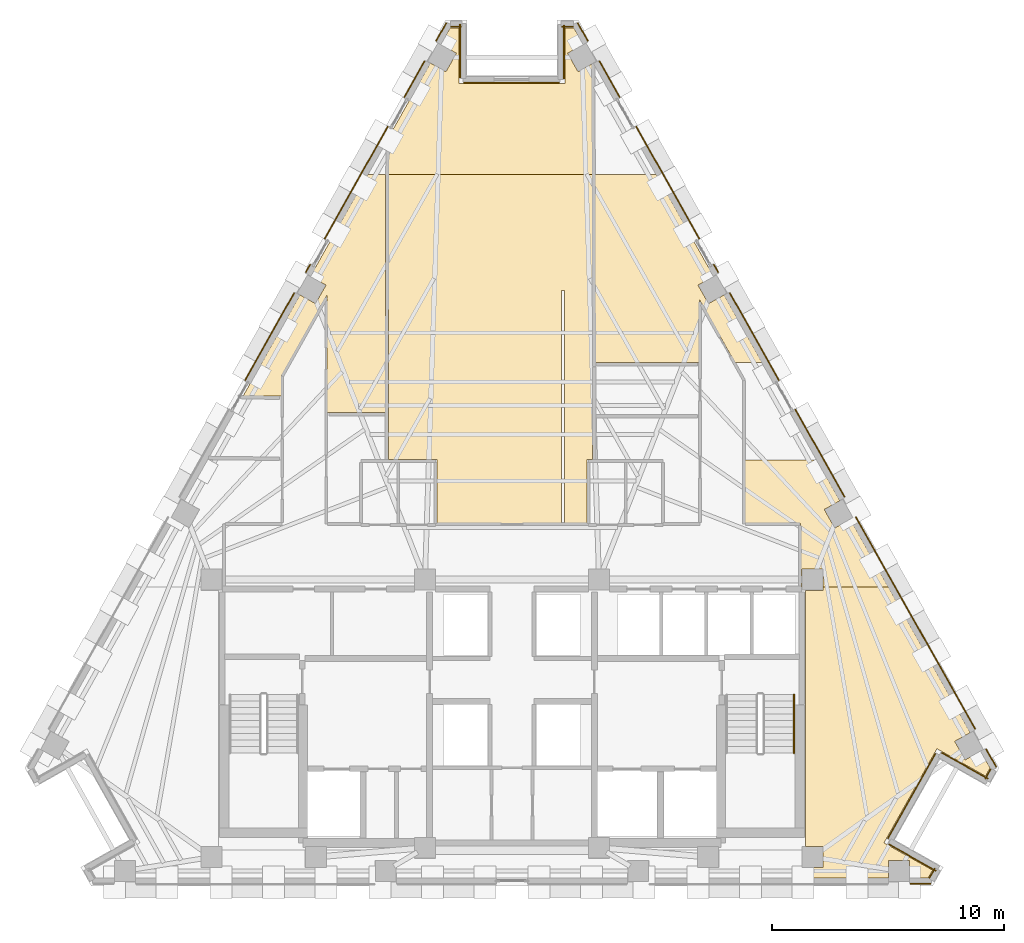
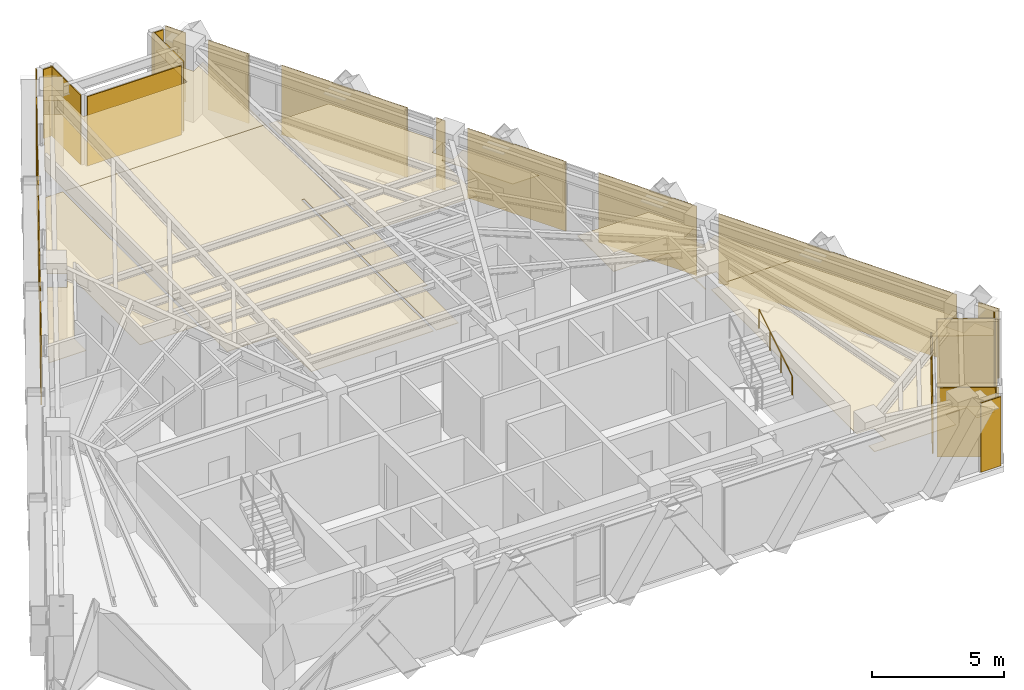
# One storey, part 12 of 12: 30 coverings, 1 railing.
"""IFC4 building model written with IfcOpenShell, lengths in metres."""

from ifc_helpers import new_model, si_unit, direction, frame, origin, origin_2d, place, context, subcontext, project, spatial, polyline, circle, outline, extrude, material, layer, layer_set, type_object, element, save


model = new_model("IFC4")

# Units and contexts
model_context = context("Model", 3, precision=1e-05, world=origin(), true_north=direction((0.0, 1.0)))
body_context = subcontext(model_context, "Body", "Model", "MODEL_VIEW")
ifc_project = project(units=[si_unit("LENGTHUNIT", "METRE"), si_unit("AREAUNIT", "SQUARE_METRE"), si_unit("VOLUMEUNIT", "CUBIC_METRE"), si_unit("PLANEANGLEUNIT", "RADIAN"), si_unit("MASSUNIT", "GRAM", prefix="KILO")], contexts=[model_context])

# Site, building, storey
site_placement = place(None, origin())
site = spatial("IfcSite", under=ifc_project, at=site_placement, CompositionType="ELEMENT")
building_placement = place(site_placement, origin())
building = spatial("IfcBuilding", under=site, at=building_placement, Name="Quenlor Broadcast Tower", CompositionType="ELEMENT")
storey_placement = place(building_placement, frame((0.0, 0.0, 186.89990234375)))
storey = spatial("IfcBuildingStorey", under=building, at=storey_placement, Name="L51", CompositionType="ELEMENT", Elevation=186.89990234375)

# Coverings
ifc_material_1 = material(Name="Acoustic Mineral Fibre Board", Category="other")
ifc_layer_1 = layer(ifc_material_1, 0.02490234375)
ifc_layer_set_1 = layer_set([ifc_layer_1], Name="Acoustic Perforated Mineral Tile Ceiling 25")
covering_type_1 = type_object("IfcCoveringType", Name="Acoustic Perforated Mineral Tile Ceiling 25", PredefinedType="CEILING", material=ifc_layer_set_1)
covering_1_placement = place(storey_placement, frame((0.0, 0.0, 2.375)))
element("IfcCovering", 1, at=covering_1_placement, inside=storey, type_object=covering_type_1, Name="L51 Acoustic Ceiling L51-31", PredefinedType="CEILING", context=body_context, shape_type="SweptSolid", body=[
    extrude(outline(polyline([(3.580078125, 12.64990234375), (6.21923828125, 12.64990234375), (8.685302734375, 8.26611328125), (8.015869140625, 7.889404296875), (8.465087890625, 7.09130859375), (9.13427734375, 7.4677734375), (10.764404296875, 4.570068359375), (10.773681640625, 4.55322265625), (9.603515625, 4.55322265625), (8.070068359375, 7.279296875), (8.070068359375, 4.55322265625), (3.580078125, 4.55322265625), (3.580078125, 12.64990234375)])), origin(), (0.0, 0.0, 1.0), 0.025146484375),
])
covering_2_placement = place(storey_placement, frame((0.0, 0.0, 2.375)))
element("IfcCovering", 2, at=covering_2_placement, inside=storey, type_object=covering_type_1, Name="L51 Acoustic Ceiling L51-32", PredefinedType="CEILING", context=body_context, shape_type="SweptSolid", body=[
    extrude(outline(polyline([(3.4599609375, 0.3701171875), (3.22998046875, 0.3701171875), (3.22998046875, -2.3701171875), (2.260009765625, -2.3701171875), (2.260009765625, 7.651611328125), (2.139892578125, 7.651611328125), (2.139892578125, -2.3701171875), (-3.22998046875, -2.3701171875), (-3.22998046875, 0.3701171875), (-5.320068359375, 0.3701171875), (-5.320068359375, 12.64990234375), (3.4599609375, 12.64990234375), (3.4599609375, 0.3701171875)])), origin(), (0.0, 0.0, 1.0), 0.025146484375),
])
covering_3_placement = place(storey_placement, frame((0.0, 0.0, 2.375)))
element("IfcCovering", 3, at=covering_3_placement, inside=storey, type_object=covering_type_1, Name="L51 Acoustic Ceiling L51-32-2", PredefinedType="CEILING", context=body_context, shape_type="SweptSolid", body=[
    extrude(outline(polyline([(2.2861328125, 16.572021484375), (2.2861328125, 18.971923828125), (2.6630859375, 18.971923828125), (3.066162109375, 18.255615234375), (2.396728515625, 17.87890625), (2.845947265625, 17.08056640625), (3.4599609375, 17.426025390625), (3.4599609375, 12.64990234375), (-5.320068359375, 12.64990234375), (-5.320068359375, 14.248779296875), (-3.515380859375, 17.45703125), (-2.845947265625, 17.08056640625), (-2.396728515625, 17.87890625), (-3.066162109375, 18.255615234375), (-2.6630859375, 18.971923828125), (-2.2861328125, 18.971923828125), (-2.2861328125, 16.572021484375), (2.2861328125, 16.572021484375)])), origin(), (0.0, 0.0, 1.0), 0.025146484375),
])
covering_4_placement = place(storey_placement, frame((0.0, 0.0, 2.375)))
element("IfcCovering", 4, at=covering_4_placement, inside=storey, type_object=covering_type_1, Name="L51 Acoustic Ceiling L51-33", PredefinedType="CEILING", context=body_context, shape_type="SweptSolid", body=[
    extrude(outline(polyline([(-9.929931640625, 3.97265625), (-9.929931640625, 3.110107421875), (-11.58544921875, 3.110107421875), (-9.13427734375, 7.4677734375), (-8.465087890625, 7.09130859375), (-8.015869140625, 7.889404296875), (-8.685302734375, 8.26611328125), (-6.21923828125, 12.64990234375), (-5.43994140625, 12.64990234375), (-5.43994140625, 2.410888671875), (-7.969970703125, 2.410888671875), (-7.969970703125, 7.45703125), (-9.929931640625, 3.97265625)])), origin(), (0.0, 0.0, 1.0), 0.025146484375),
])
covering_5_placement = place(storey_placement, frame((0.0, 0.0, 2.375)))
element("IfcCovering", 5, at=covering_5_placement, inside=storey, type_object=covering_type_1, Name="L51 Acoustic Ceiling L51-38-2", PredefinedType="CEILING", context=body_context, shape_type="SweptSolid", body=[
    extrude(outline(polyline([(13.407958984375, -4.342041015625), (12.491943359375, -4.342041015625), (12.491943359375, -5.1201171875), (12.43994140625, -5.1201171875), (12.43994140625, -2.3701171875), (10.030029296875, -2.3701171875), (10.030029296875, 0.36474609375), (13.129638671875, 0.36474609375), (14.123046875, -1.401123046875), (13.45361328125, -1.777587890625), (13.90283203125, -2.575927734375), (14.572021484375, -2.199462890625), (16.21484375, -5.1201171875), (13.407958984375, -5.1201171875), (13.407958984375, -4.342041015625)])), origin(), (0.0, 0.0, 1.0), 0.025146484375),
])
covering_6_placement = place(storey_placement, frame((0.0, 0.0, 2.375)))
element("IfcCovering", 6, at=covering_6_placement, inside=storey, type_object=covering_type_1, Name="L51 Acoustic Ceiling L51-38-4", PredefinedType="CEILING", context=body_context, shape_type="SweptSolid", body=[
    extrude(outline(polyline([(13.407958984375, -17.2080078125), (13.407958984375, -16.2919921875), (12.64990234375, -16.2919921875), (12.64990234375, -5.258056640625), (13.407958984375, -5.258056640625), (13.407958984375, -5.1201171875), (16.21484375, -5.1201171875), (19.7421875, -11.390625), (19.07275390625, -11.76708984375), (19.52197265625, -12.5654296875), (20.191162109375, -12.18896484375), (20.597900390625, -12.912109375), (20.400390625, -13.26318359375), (18.30859375, -12.08642578125), (16.029052734375, -16.138916015625), (18.120849609375, -17.315673828125), (17.927001953125, -17.659912109375), (17.1337890625, -17.659912109375), (17.1337890625, -16.89208984375), (16.218017578125, -16.89208984375), (16.218017578125, -17.659912109375), (12.64990234375, -17.659912109375), (12.64990234375, -17.2080078125), (13.407958984375, -17.2080078125)])), origin(), (0.0, 0.0, 1.0), 0.025146484375),
])
ifc_material_2 = material(Name="Architectural Terracotta Ceramic", Category="masonry")
ifc_layer_2 = layer(ifc_material_2, 0.044921875)
ifc_layer_set_2 = layer_set([ifc_layer_2], Name="Fluted Terracotta Rainscreen Cladding Panel")
covering_type_2 = type_object("IfcCoveringType", Name="Fluted Terracotta Rainscreen Cladding Panel", PredefinedType="CLADDING", material=ifc_layer_set_2)
covering_7_placement = place(storey_placement, frame((0.0, 0.0, 0.02001953125)))
element("IfcCovering", 7, at=covering_7_placement, inside=storey, type_object=covering_type_2, Name="L51 Terracotta Rainscreen Cladding L51-SHD-SS0", PredefinedType="CLADDING", context=body_context, shape_type="SweptSolid", body=[
    extrude(outline(polyline([(18.035888671875, -17.886962890625), (17.160888671875, -17.886962890625), (17.160888671875, -17.931884765625), (18.035888671875, -17.931884765625), (18.035888671875, -17.886962890625)])), origin(), (0.0, 0.0, 1.0), 3.2099609375),
])
covering_8_placement = place(storey_placement, frame((0.0, 0.0, 0.02001953125)))
element("IfcCovering", 8, at=covering_8_placement, inside=storey, type_object=covering_type_2, Name="L51 Terracotta Rainscreen Cladding L51-SHD-NES0", PredefinedType="CLADDING", context=body_context, shape_type="SweptSolid", body=[
    extrude(outline(polyline([(2.8076171875, 19.17822265625), (3.250732421875, 18.390380859375), (3.2900390625, 18.412353515625), (2.8466796875, 19.2001953125), (2.8076171875, 19.17822265625)])), origin(), (0.0, 0.0, 1.0), 3.2099609375),
])
covering_9_placement = place(storey_placement, frame((0.0, 0.0, 0.02001953125)))
element("IfcCovering", 9, at=covering_9_placement, inside=storey, type_object=covering_type_2, Name="L51 Terracotta Rainscreen Cladding L51-SHD-NES1", PredefinedType="CLADDING", context=body_context, shape_type="SweptSolid", body=[
    extrude(outline(polyline([(20.402099609375, -12.10107421875), (20.845458984375, -12.888916015625), (20.884521484375, -12.866943359375), (20.44140625, -12.0791015625), (20.402099609375, -12.10107421875)])), origin(), (0.0, 0.0, 1.0), 3.2099609375),
])
covering_10_placement = place(storey_placement, frame((0.0, 0.0, 0.02001953125)))
element("IfcCovering", 10, at=covering_10_placement, inside=storey, type_object=covering_type_2, Name="L51 Terracotta Rainscreen Cladding L51-NEA-SP1", PredefinedType="CLADDING", context=body_context, shape_type="SweptSolid", body=[
    extrude(outline(polyline([(3.744873046875, 17.532470703125), (4.625, 15.967529296875), (4.664306640625, 15.989501953125), (3.7841796875, 17.554443359375), (3.744873046875, 17.532470703125)])), origin(), (0.0, 0.0, 1.0), 3.2099609375),
])
covering_11_placement = place(storey_placement, frame((0.0, 0.0, 0.02001953125)))
element("IfcCovering", 11, at=covering_11_placement, inside=storey, type_object=covering_type_2, Name="L51 Terracotta Rainscreen Cladding L51-NEA-SP2", PredefinedType="CLADDING", context=body_context, shape_type="SweptSolid", body=[
    extrude(outline(polyline([(5.3291015625, 14.716064453125), (8.05419921875, 9.871337890625), (8.09326171875, 9.893310546875), (5.368408203125, 14.738037109375), (5.3291015625, 14.716064453125)])), origin(), (0.0, 0.0, 1.0), 3.2099609375),
])
covering_12_placement = place(storey_placement, frame((0.0, 0.0, 0.02001953125)))
element("IfcCovering", 12, at=covering_12_placement, inside=storey, type_object=covering_type_2, Name="L51 Terracotta Rainscreen Cladding L51-NEA-SP3", PredefinedType="CLADDING", context=body_context, shape_type="SweptSolid", body=[
    extrude(outline(polyline([(8.672607421875, 8.77197265625), (8.86865234375, 8.42333984375), (8.907958984375, 8.4453125), (8.7119140625, 8.7939453125), (8.672607421875, 8.77197265625)])), origin(), (0.0, 0.0, 1.0), 3.2099609375),
])
covering_13_placement = place(storey_placement, frame((0.0, 0.0, 0.02001953125)))
element("IfcCovering", 13, at=covering_13_placement, inside=storey, type_object=covering_type_2, Name="L51 Terracotta Rainscreen Cladding L51-EW-NEC", PredefinedType="CLADDING", context=body_context, shape_type="SweptSolid", body=[
    extrude(outline(polyline([(14.7919921875, -2.106689453125), (19.935302734375, -11.250732421875), (19.974609375, -11.228759765625), (14.831298828125, -2.084716796875), (14.7919921875, -2.106689453125)])), origin(), (0.0, 0.0, 1.0), 3.2099609375),
])
covering_14_placement = place(storey_placement, frame((0.0, 0.0, 0.02001953125)))
element("IfcCovering", 14, at=covering_14_placement, inside=storey, type_object=covering_type_2, Name="L51 Terracotta Rainscreen Cladding L51-NE-SP1", PredefinedType="CLADDING", context=body_context, shape_type="SweptSolid", body=[
    extrude(outline(polyline([(9.361328125, 7.54736328125), (11.483154296875, 3.775390625), (11.5224609375, 3.79736328125), (9.400634765625, 7.5693359375), (9.361328125, 7.54736328125)])), origin(), (0.0, 0.0, 1.0), 3.2099609375),
])
covering_15_placement = place(storey_placement, frame((0.0, 0.0, 0.02001953125)))
element("IfcCovering", 15, at=covering_15_placement, inside=storey, type_object=covering_type_2, Name="L51 Terracotta Rainscreen Cladding L51-NE-SP2", PredefinedType="CLADDING", context=body_context, shape_type="SweptSolid", body=[
    extrude(outline(polyline([(12.187255859375, 2.523681640625), (14.30908203125, -1.248291015625), (14.34814453125, -1.226318359375), (12.2265625, 2.5458984375), (12.187255859375, 2.523681640625)])), origin(), (0.0, 0.0, 1.0), 3.2099609375),
])
covering_16_placement = place(storey_placement, frame((0.0, 0.0, 0.02001953125)))
element("IfcCovering", 16, at=covering_16_placement, inside=storey, type_object=covering_type_2, Name="L51 Terracotta Rainscreen Cladding L51-SHD-NWS1", PredefinedType="CLADDING", context=body_context, shape_type="SweptSolid", body=[
    extrude(outline(polyline([(-3.250732421875, 18.390380859375), (-2.8076171875, 19.17822265625), (-2.8466796875, 19.2001953125), (-3.2900390625, 18.412353515625), (-3.250732421875, 18.390380859375)])), origin(), (0.0, 0.0, 1.0), 3.2099609375),
])
covering_17_placement = place(storey_placement, frame((0.0, 0.0, 0.02001953125)))
element("IfcCovering", 17, at=covering_17_placement, inside=storey, type_object=covering_type_2, Name="L51 Terracotta Rainscreen Cladding L51-NWC-SP1", PredefinedType="CLADDING", context=body_context, shape_type="SweptSolid", body=[
    extrude(outline(polyline([(-8.86865234375, 8.42333984375), (-8.672607421875, 8.77197265625), (-8.7119140625, 8.7939453125), (-8.907958984375, 8.4453125), (-8.86865234375, 8.42333984375)])), origin(), (0.0, 0.0, 1.0), 3.2099609375),
])
covering_18_placement = place(storey_placement, frame((0.0, 0.0, 0.02001953125)))
element("IfcCovering", 18, at=covering_18_placement, inside=storey, type_object=covering_type_2, Name="L51 Terracotta Rainscreen Cladding L51-NWC-SP2", PredefinedType="CLADDING", context=body_context, shape_type="SweptSolid", body=[
    extrude(outline(polyline([(-8.05419921875, 9.871337890625), (-5.3291015625, 14.716064453125), (-5.368408203125, 14.738037109375), (-8.09326171875, 9.893310546875), (-8.05419921875, 9.871337890625)])), origin(), (0.0, 0.0, 1.0), 3.2099609375),
])
covering_19_placement = place(storey_placement, frame((0.0, 0.0, 0.02001953125)))
element("IfcCovering", 19, at=covering_19_placement, inside=storey, type_object=covering_type_2, Name="L51 Terracotta Rainscreen Cladding L51-NWC-SP3", PredefinedType="CLADDING", context=body_context, shape_type="SweptSolid", body=[
    extrude(outline(polyline([(-4.625, 15.967529296875), (-3.744873046875, 17.532470703125), (-3.7841796875, 17.554443359375), (-4.664306640625, 15.989501953125), (-4.625, 15.967529296875)])), origin(), (0.0, 0.0, 1.0), 3.2099609375),
])
covering_20_placement = place(storey_placement, frame((0.0, 0.0, 0.02001953125)))
element("IfcCovering", 20, at=covering_20_placement, inside=storey, type_object=covering_type_2, Name="L51 Terracotta Rainscreen Cladding L51-NW-SP2", PredefinedType="CLADDING", context=body_context, shape_type="SweptSolid", body=[
    extrude(outline(polyline([(-11.483154296875, 3.775390625), (-9.361328125, 7.54736328125), (-9.400634765625, 7.5693359375), (-11.5224609375, 3.79736328125), (-11.483154296875, 3.775390625)])), origin(), (0.0, 0.0, 1.0), 3.2099609375),
])
covering_21_placement = place(storey_placement, frame((0.0, 0.0, 0.02001953125)))
element("IfcCovering", 21, at=covering_21_placement, inside=storey, type_object=covering_type_2, Name="L51 Terracotta Rainscreen Cladding L51-CNR-01", PredefinedType="CLADDING", context=body_context, shape_type="SweptSolid", body=[
    extrude(outline(polyline([(18.284912109375, -17.329833984375), (16.245361328125, -16.1826171875), (16.223388671875, -16.2216796875), (18.262939453125, -17.368896484375), (18.284912109375, -17.329833984375)])), origin(), (0.0, 0.0, 1.0), 3.2099609375),
])
covering_22_placement = place(storey_placement, frame((0.0, 0.0, 0.02001953125)))
element("IfcCovering", 22, at=covering_22_placement, inside=storey, type_object=covering_type_2, Name="L51 Terracotta Rainscreen Cladding L51-CNR-02", PredefinedType="CLADDING", context=body_context, shape_type="SweptSolid", body=[
    extrude(outline(polyline([(16.2109375, -15.954345703125), (18.264892578125, -12.302734375), (18.225830078125, -12.28076171875), (16.171630859375, -15.932373046875), (16.2109375, -15.954345703125)])), origin(), (0.0, 0.0, 1.0), 2.681884765625),
])
covering_23_placement = place(storey_placement, frame((0.0, 0.0, 0.02001953125)))
element("IfcCovering", 23, at=covering_23_placement, inside=storey, type_object=covering_type_2, Name="L51 Terracotta Rainscreen Cladding L51-CNR-03", PredefinedType="CLADDING", context=body_context, shape_type="SweptSolid", body=[
    extrude(outline(polyline([(18.493408203125, -12.268310546875), (20.497802734375, -13.39599609375), (20.52001953125, -13.356689453125), (18.515380859375, -12.22900390625), (18.493408203125, -12.268310546875)])), origin(), (0.0, 0.0, 1.0), 3.2099609375),
])
covering_24_placement = place(storey_placement, frame((0.0, 0.0, 0.02001953125)))
element("IfcCovering", 24, at=covering_24_placement, inside=storey, type_object=covering_type_2, Name="L51 Terracotta Rainscreen Cladding L51-CNR-04", PredefinedType="CLADDING", context=body_context, shape_type="SweptSolid", body=[
    extrude(outline(polyline([(20.40576171875, -13.39208984375), (20.64306640625, -12.970458984375), (20.60400390625, -12.948486328125), (20.36669921875, -13.3701171875), (20.40576171875, -13.39208984375)])), origin(), (0.0, 0.0, 1.0), 3.2099609375),
])
covering_25_placement = place(storey_placement, frame((0.0, 0.0, 0.02001953125)))
element("IfcCovering", 25, at=covering_25_placement, inside=storey, type_object=covering_type_2, Name="L51 Terracotta Rainscreen Cladding L51-CNR-06", PredefinedType="CLADDING", context=body_context, shape_type="SweptSolid", body=[
    extrude(outline(polyline([(2.62841796875, 19.0400390625), (2.13623046875, 19.0400390625), (2.13623046875, 18.9951171875), (2.62841796875, 18.9951171875), (2.62841796875, 19.0400390625)])), origin(), (0.0, 0.0, 1.0), 3.2099609375),
])
covering_26_placement = place(storey_placement, frame((0.0, 0.0, 0.02001953125)))
element("IfcCovering", 26, at=covering_26_placement, inside=storey, type_object=covering_type_2, Name="L51 Terracotta Rainscreen Cladding L51-CNR-07", PredefinedType="CLADDING", context=body_context, shape_type="SweptSolid", body=[
    extrude(outline(polyline([(2.21826171875, 19.08203125), (2.21826171875, 16.781982421875), (2.26318359375, 16.781982421875), (2.26318359375, 19.08203125), (2.21826171875, 19.08203125)])), origin(), (0.0, 0.0, 1.0), 3.2099609375),
])
covering_27_placement = place(storey_placement, frame((0.0, 0.0, 0.02001953125)))
element("IfcCovering", 27, at=covering_27_placement, inside=storey, type_object=covering_type_2, Name="L51 Terracotta Rainscreen Cladding L51-CNR-08", PredefinedType="CLADDING", context=body_context, shape_type="SweptSolid", body=[
    extrude(outline(polyline([(2.0361328125, 16.639892578125), (-2.076171875, 16.639892578125), (-2.076171875, 16.594970703125), (2.0361328125, 16.594970703125), (2.0361328125, 16.639892578125)])), origin(), (0.0, 0.0, 1.0), 3.2099609375),
])
covering_28_placement = place(storey_placement, frame((0.0, 0.0, 0.02001953125)))
element("IfcCovering", 28, at=covering_28_placement, inside=storey, type_object=covering_type_2, Name="L51 Terracotta Rainscreen Cladding L51-CNR-09", PredefinedType="CLADDING", context=body_context, shape_type="SweptSolid", body=[
    extrude(outline(polyline([(-2.21826171875, 16.822021484375), (-2.21826171875, 19.1220703125), (-2.26318359375, 19.1220703125), (-2.26318359375, 16.822021484375), (-2.21826171875, 16.822021484375)])), origin(), (0.0, 0.0, 1.0), 3.2099609375),
])
covering_29_placement = place(storey_placement, frame((0.0, 0.0, 0.02001953125)))
element("IfcCovering", 29, at=covering_29_placement, inside=storey, type_object=covering_type_2, Name="L51 Terracotta Rainscreen Cladding L51-CNR-10", PredefinedType="CLADDING", context=body_context, shape_type="SweptSolid", body=[
    extrude(outline(polyline([(-2.17626953125, 19.0400390625), (-2.62841796875, 19.0400390625), (-2.62841796875, 18.9951171875), (-2.17626953125, 18.9951171875), (-2.17626953125, 19.0400390625)])), origin(), (0.0, 0.0, 1.0), 3.2099609375),
])
covering_30_placement = place(storey_placement, frame((0.0, 0.0, 0.02001953125)))
element("IfcCovering", 30, at=covering_30_placement, inside=storey, type_object=covering_type_2, Name="L51 Terracotta Rainscreen Cladding L51-CNR-18", PredefinedType="CLADDING", context=body_context, shape_type="SweptSolid", body=[
    extrude(outline(polyline([(17.99853515625, -17.671630859375), (18.234130859375, -17.2529296875), (18.19482421875, -17.23095703125), (17.959228515625, -17.649658203125), (17.99853515625, -17.671630859375)])), origin(), (0.0, 0.0, 1.0), 3.2099609375),
])

# Railing
ifc_material_3 = material(Name="Anodised Aluminium", Category="aluminium")
railing_type = type_object("IfcRailingType", Name="Stainless Aluminium Wall Handrail 900", PredefinedType="HANDRAIL", material=ifc_material_3)
railing_placement = place(storey_placement, frame((12.14990234375, -12.27001953125, 1.925048828125)))
element("IfcRailing", 31, at=railing_placement, inside=storey, type_object=railing_type, Name="L51 ST-2 stair handrail 2", PredefinedType="HANDRAIL", context=body_context, shape_type="SweptSolid", body=[
    extrude(circle(Radius=0.02392578125, at=origin_2d()), frame((0.0, 0.0, 0.8759765625), z_axis=(0.0, 0.848007534815, 0.529984170421), x_axis=(-1.0, 0.0, 0.0)), (0.0, 0.0, 1.0), 2.9716796875),
    extrude(circle(Radius=0.02099609375, at=origin_2d()), origin(), (0.0, 0.0, 1.0), 0.851806640625),
    extrude(circle(Radius=0.02099609375, at=origin_2d()), frame((0.0, 0.840087890625, 0.52490234375)), (0.0, 0.0, 1.0), 0.851806640625),
    extrude(circle(Radius=0.02099609375, at=origin_2d()), frame((0.0, 1.679931640625, 1.050048828125)), (0.0, 0.0, 1.0), 0.851806640625),
    extrude(circle(Radius=0.02099609375, at=origin_2d()), frame((0.0, 2.52001953125, 1.574951171875)), (0.0, 0.0, 1.0), 0.851806640625),
])

save(model, "model.ifc")
